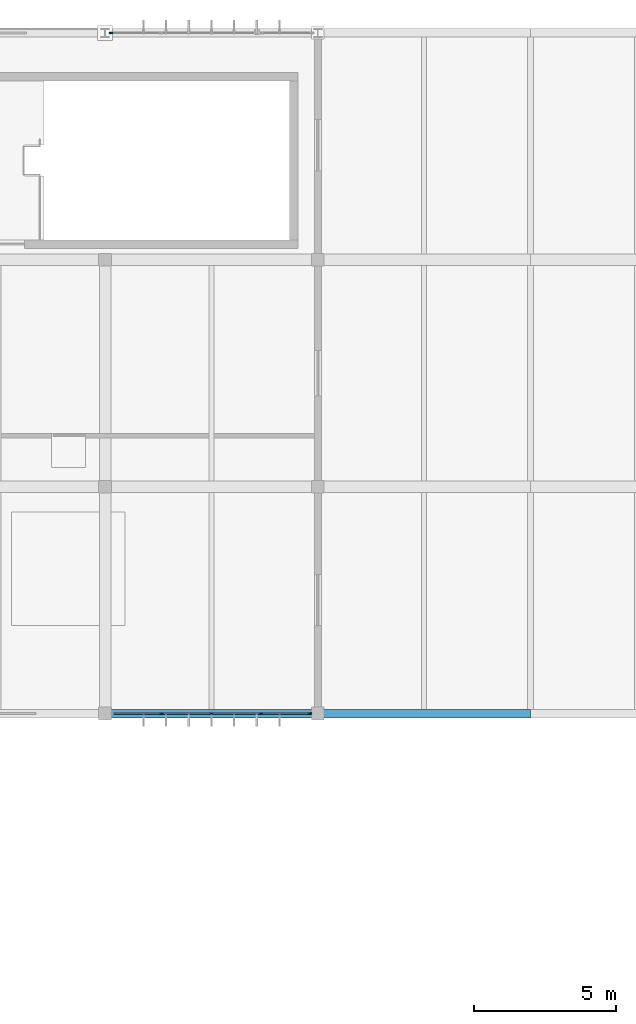
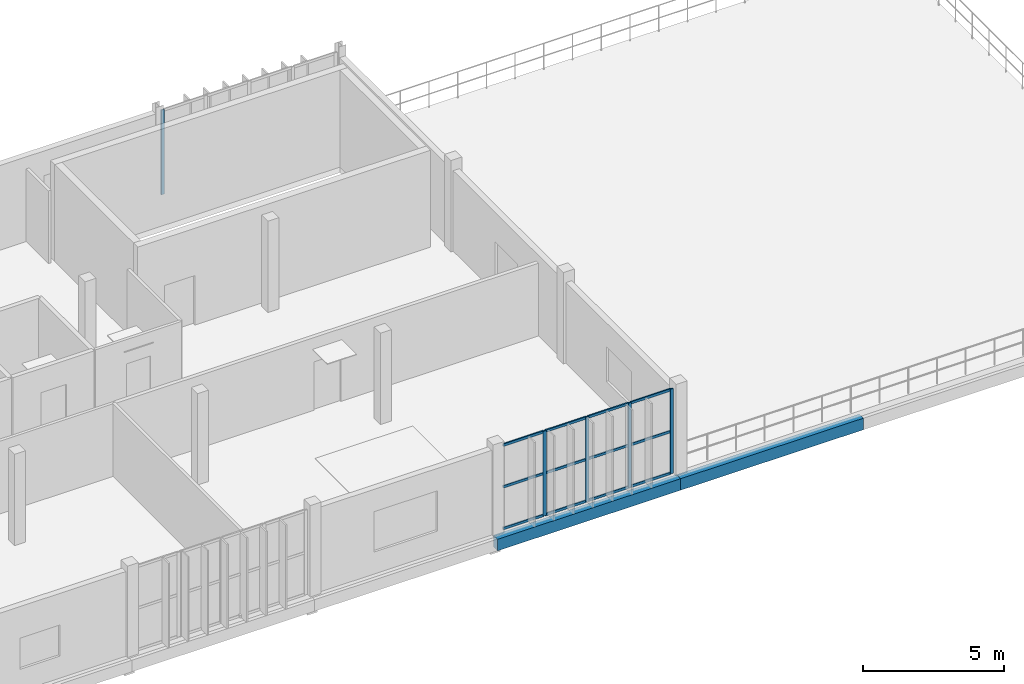
# One storey, part 14 of 26: 17 members, 2 beams, 2 elements without a shape of their own.
"""IFC4 building model written with IfcOpenShell, lengths in metres."""

import ifcopenshell
import ifcopenshell.guid

model = None  # the IFC model being written
_history = None  # IfcOwnerHistory: only IFC2X3 demands one
_inside = {}  # id of a spatial element -> (the spatial element, [elements in it])
_under = {}  # id of a project, library or spatial element -> (it, [spatial elements below it])
_declared = {}  # id of a project -> (the project, [libraries it declares])
_typed = {}  # id of a type object -> (the type object, [elements of that type])
_made_of = {}  # id of a material, layer set ... -> (it, [elements and type objects made of it])


def new_model(schema):
    """Start an empty IFC model of exactly this schema.

    Asked for "IFC4X3", IfcOpenShell would pick the latest addendum, in which some entities
    have other attributes; the version numbers below select the first issue.
    IFC2X3 requires an IfcOwnerHistory on every rooted entity: one is made here for all.
    """
    global model, _history
    if schema == "IFC4X3":
        model = ifcopenshell.file(schema_version=(4, 3, 0, 0))
    else:
        model = ifcopenshell.file(schema=schema)
    _inside.clear()
    _under.clear()
    _declared.clear()
    _typed.clear()
    _made_of.clear()
    _history = None
    if model.schema == "IFC2X3":
        org = make("IfcOrganization", Name="unknown")
        user = make(
            "IfcPersonAndOrganization",
            ThePerson=make("IfcPerson", FamilyName="unknown"),
            TheOrganization=org,
        )
        app = make(
            "IfcApplication",
            ApplicationDeveloper=org,
            Version="unknown",
            ApplicationFullName="unknown",
            ApplicationIdentifier="unknown",
        )
        _history = make(
            "IfcOwnerHistory",
            OwningUser=user,
            OwningApplication=app,
            ChangeAction="ADDED",
            CreationDate=0,
        )
    return model


def make(cls, **values):
    """One entity of the class cls with the attributes given. An attribute that is None is left unset."""
    return model.create_entity(
        cls, **{name: value for name, value in values.items() if value is not None}
    )


def rooted(cls, **values):
    """An entity with a GlobalId (a new one), such as an element, a storey or a relation."""
    return make(cls, GlobalId=ifcopenshell.guid.new(), OwnerHistory=_history, **values)


def si_unit(unit_type, name, prefix=None):
    """IfcSIUnit, for example si_unit("LENGTHUNIT", "METRE", prefix="MILLI")."""
    return make("IfcSIUnit", UnitType=unit_type, Prefix=prefix, Name=name)


def assignment(units):
    """IfcUnitAssignment: the units of a project."""
    return None if units is None else make("IfcUnitAssignment", Units=units)


def point(xyz):
    """IfcCartesianPoint."""
    return None if xyz is None else make("IfcCartesianPoint", Coordinates=xyz)


def direction(xyz):
    """IfcDirection."""
    return None if xyz is None else make("IfcDirection", DirectionRatios=xyz)


def frame(location, z_axis=None, x_axis=None):
    """IfcAxis2Placement3D, a coordinate frame: its origin and axes. An axis left out is left unset."""
    return make(
        "IfcAxis2Placement3D",
        Location=point(location),
        Axis=direction(z_axis),
        RefDirection=direction(x_axis),
    )


def frame_2d(location, x_axis=None):
    """IfcAxis2Placement2D, a coordinate frame in the plane: its origin and x axis."""
    return make(
        "IfcAxis2Placement2D", Location=point(location), RefDirection=direction(x_axis)
    )


def origin():
    """The frame at (0, 0, 0) with its axes left unset."""
    return frame((0.0, 0.0, 0.0))


def origin_2d():
    """The frame at (0, 0) in the plane with its x axis left unset."""
    return frame_2d((0.0, 0.0))


def place(relative_to, where):
    """IfcLocalPlacement: puts the frame where relative to a parent placement (None: the world)."""
    return make(
        "IfcLocalPlacement", PlacementRelTo=relative_to, RelativePlacement=where
    )


def context(
    kind, dimensions, precision=None, world=None, true_north=None, identifier=None
):
    """IfcGeometricRepresentationContext, for example the 3D "Model" context."""
    return make(
        "IfcGeometricRepresentationContext",
        ContextIdentifier=identifier,
        ContextType=kind,
        CoordinateSpaceDimension=dimensions,
        Precision=precision,
        WorldCoordinateSystem=world,
        TrueNorth=true_north,
    )


def subcontext(parent, identifier, kind, view, scale=None):
    """IfcGeometricRepresentationSubContext, for example "Body" below "Model"."""
    return make(
        "IfcGeometricRepresentationSubContext",
        ContextIdentifier=identifier,
        ContextType=kind,
        ParentContext=parent,
        TargetScale=scale,
        TargetView=view,
    )


def project(units=None, contexts=None):
    """IfcProject with its units and contexts."""
    return rooted(
        "IfcProject",
        Name="project",
        RepresentationContexts=contexts,
        UnitsInContext=assignment(units),
    )


def spatial(cls, under=None, at=None, **own):
    """A site, building, storey or space (cls), placed at a placement, below another one or the project."""
    s = rooted(cls, ObjectPlacement=at, **own)
    if under is not None:
        _under.setdefault(under.id(), (under, []))[1].append(s)
    return s


def profile(cls, at=None, kind="AREA", **sizes):
    """A parametric profile (cls). Its sizes go by their IFC names, for example OverallWidth=200.0."""
    return make(cls, ProfileType=kind, Position=at, **sizes)


def rectangle(**sizes):
    """IfcRectangleProfileDef."""
    return profile("IfcRectangleProfileDef", **sizes)


def extrude(swept, where, along, depth):
    """IfcExtrudedAreaSolid: the profile swept, set in the frame where, extruded along a direction by depth."""
    return make(
        "IfcExtrudedAreaSolid",
        SweptArea=swept,
        Position=where,
        ExtrudedDirection=direction(along),
        Depth=depth,
    )


def shape(context_of_items, identifier, shape_type, items):
    """IfcShapeRepresentation: the items that make up one representation, for example the "Body"."""
    return make(
        "IfcShapeRepresentation",
        ContextOfItems=context_of_items,
        RepresentationIdentifier=identifier,
        RepresentationType=shape_type,
        Items=items,
    )


def material(Name=None, Category=None):
    """IfcMaterial."""
    return make("IfcMaterial", Name=Name, Category=Category)


def material_profile(
    of_material, cross_section, Name=None, Category=None, Priority=None
):
    """IfcMaterialProfile: a cross section and its material."""
    return make(
        "IfcMaterialProfile",
        Name=Name,
        Material=of_material,
        Profile=cross_section,
        Priority=Priority,
        Category=Category,
    )


def profile_set(profiles, Name=None, composite=None):
    """IfcMaterialProfileSet."""
    return make(
        "IfcMaterialProfileSet",
        Name=Name,
        MaterialProfiles=profiles,
        CompositeProfile=composite,
    )


def made_of(thing, what):
    """Note that an element or type object is made of a material, layer set ...; save() writes the relation."""
    if what is not None:
        _made_of.setdefault(what.id(), (what, []))[1].append(thing)
    return thing


def type_object(cls, material=None, **own):
    """A type object (cls), such as IfcWallType, which elements share."""
    return made_of(rooted(cls, **own), material)


def element(
    cls,
    number,
    at=None,
    inside=None,
    cuts=None,
    type_object=None,
    material=None,
    context=None,
    identifier="Body",
    shape_type=None,
    held_by="IfcProductDefinitionShape",
    body=None,
    shapes=None,
    **own,
):
    """One element of the class cls, such as IfcWall. Its Tag is "e" and its number.

    at: its placement. inside: the storey or other place that contains it. cuts: it is an
    opening in that element (IfcRelVoidsElement). A single representation is given by context,
    identifier, shape_type and body (its items); several are given by shapes. held_by: the class
    of the entity that holds the representations. save() writes the other relations.
    """
    e = rooted(cls, Tag="e%d" % number, ObjectPlacement=at, **own)
    if body is not None:
        shapes = [shape(context, identifier, shape_type, body)]
    if shapes is not None:
        e.Representation = make(held_by, Representations=shapes)
    if inside is not None:
        _inside.setdefault(inside.id(), (inside, []))[1].append(e)
    if cuts is not None:
        rooted(
            "IfcRelVoidsElement", RelatingBuildingElement=cuts, RelatedOpeningElement=e
        )
    if type_object is not None:
        _typed.setdefault(type_object.id(), (type_object, []))[1].append(e)
    return made_of(e, material)


def aggregate(whole, parts):
    """IfcRelAggregates: a whole, such as a stair, and the parts it consists of."""
    return rooted("IfcRelAggregates", RelatingObject=whole, RelatedObjects=parts)


def save(model, path):
    """Write the relations noted so far, then the file.

    IfcRelAggregates (storeys below a building ...), IfcRelContainedInSpatialStructure (elements
    in a storey), IfcRelDefinesByType, IfcRelAssociatesMaterial and IfcRelDeclares: one each for
    every whole, place, type object, material and project.
    """
    for whole, parts in _under.values():
        aggregate(whole, parts)
    for where, things in _inside.values():
        rooted(
            "IfcRelContainedInSpatialStructure",
            RelatedElements=things,
            RelatingStructure=where,
        )
    for kind, things in _typed.values():
        rooted("IfcRelDefinesByType", RelatedObjects=things, RelatingType=kind)
    for what, things in _made_of.values():
        rooted("IfcRelAssociatesMaterial", RelatedObjects=things, RelatingMaterial=what)
    for by, libraries in _declared.values():
        rooted("IfcRelDeclares", RelatingContext=by, RelatedDefinitions=libraries)
    model.write(path)


model = new_model("IFC4")

# Units and contexts
model_context = context("Model", 3, precision=1e-05, world=origin(), true_north=direction((0.0, 1.0)))
body_context = subcontext(model_context, "Body", "Model", "MODEL_VIEW")
ifc_project = project(units=[si_unit("LENGTHUNIT", "METRE"), si_unit("AREAUNIT", "SQUARE_METRE"), si_unit("VOLUMEUNIT", "CUBIC_METRE"), si_unit("PLANEANGLEUNIT", "RADIAN"), si_unit("MASSUNIT", "GRAM", prefix="KILO")], contexts=[model_context])

# Site, building, storey
site_placement = place(None, origin())
site = spatial("IfcSite", under=ifc_project, at=site_placement, CompositionType="ELEMENT")
building_placement = place(site_placement, origin())
building = spatial("IfcBuilding", under=site, at=building_placement, Name="Vourika Railside Aquatics Centre", CompositionType="ELEMENT")
storey_placement = place(building_placement, frame((0.0, 0.0, 17.699951171875)))
storey = spatial("IfcBuildingStorey", under=building, at=storey_placement, Name="L04", CompositionType="ELEMENT", Elevation=17.699951171875)

# Beams
ifc_material_1 = material(Name="Concrete C35/45", Category="concrete")
ifc_material_profile_1 = material_profile(ifc_material_1, rectangle(XDim=0.300048828125, YDim=0.5, at=origin_2d()), Name="RC 300x500")
ifc_profile_set_1 = profile_set([ifc_material_profile_1], Name="Concrete C35/45")
beam_type = type_object("IfcBeamType", Name="BM-SPAN-300x500", PredefinedType="SPANDREL", material=ifc_profile_set_1)
for number, where, z_axis, x_axis, name in (
    (1, (81.0, 92.0, -0.5), (1.0, 0.0, 0.0), (0.0, 1.0, 0.0), "Floor Beam GX-L04-014"),
    (2, (88.5, 92.0, -0.5), (1.0, 0.0, 0.0), (0.0, 1.0, 0.0), "Floor Beam GX-L04-015"),
):
    element("IfcBeam", number, at=place(storey_placement, frame(where, z_axis=z_axis, x_axis=x_axis)), inside=storey, type_object=beam_type, Name=name, PredefinedType="SPANDREL", context=body_context, shape_type="SweptSolid", body=[
        extrude(rectangle(XDim=0.300048828125, YDim=0.5, at=origin_2d()), origin(), (0.0, 0.0, 1.0), 7.5),
    ])

# Curtain wall, member
ifc_material_2 = material(Name="Anodized thermally broken aluminium", Category="aluminium")
curtain_wall_type = type_object("IfcCurtainWallType", Name="CW-FIT4", PredefinedType="NOTDEFINED", material=ifc_material_2)
curtain_wall_1_placement = place(storey_placement, origin())
curtain_wall_1 = element("IfcCurtainWall", 3, at=curtain_wall_1_placement, inside=storey, type_object=curtain_wall_type, Name="North Boulevard Curtain Wall L04-9", PredefinedType="NOTDEFINED")
ifc_material_3 = material(Name="Anodized aluminium mullion", Category="aluminium")
ifc_material_profile_2 = material_profile(ifc_material_3, rectangle(XDim=0.054931640625, YDim=0.135009765625, at=origin_2d()), Name="ALU-M 55x135")
ifc_profile_set_2 = profile_set([ifc_material_profile_2], Name="Anodized aluminium mullion")
member_type_1 = type_object("IfcMemberType", Name="CWM-FIT4", PredefinedType="MULLION", material=ifc_profile_set_2)
member_1_placement = place(storey_placement, frame((81.20751953125, 116.0, 0.0), z_axis=(0.0, 0.0, 1.0), x_axis=(0.0, -1.0, 0.0)))
member_1 = element("IfcMember", 4, at=member_1_placement, type_object=member_type_1, Name="CW18 mullion 5", PredefinedType="MULLION", context=body_context, shape_type="SweptSolid", body=[
    extrude(rectangle(XDim=0.054931640625, YDim=0.135009765625, at=origin_2d()), origin(), (0.0, 0.0, 1.0), 3.670166015625),
])
aggregate(curtain_wall_1, [member_1])

# Curtain wall, members
curtain_wall_2_placement = place(storey_placement, origin())
curtain_wall_2 = element("IfcCurtainWall", 5, at=curtain_wall_2_placement, inside=storey, type_object=curtain_wall_type, Name="Courtyard Fitness Curtain Wall L04-7", PredefinedType="NOTDEFINED")
member_2_placement = place(storey_placement, frame((83.00244140625, 92.0, 0.0), z_axis=(0.0, 0.0, 1.0), x_axis=(0.0, 1.0, 0.0)))
member_2 = element("IfcMember", 6, at=member_2_placement, type_object=member_type_1, Name="CW18 mullion 2", PredefinedType="MULLION", context=body_context, shape_type="SweptSolid", body=[
    extrude(rectangle(XDim=0.054931640625, YDim=0.135009765625, at=origin_2d()), origin(), (0.0, 0.0, 1.0), 3.670166015625),
])
member_3_placement = place(storey_placement, frame((84.75, 92.0, 0.0), z_axis=(0.0, 0.0, 1.0), x_axis=(0.0, 1.0, 0.0)))
member_3 = element("IfcMember", 7, at=member_3_placement, type_object=member_type_1, Name="CW18 mullion 3", PredefinedType="MULLION", context=body_context, shape_type="SweptSolid", body=[
    extrude(rectangle(XDim=0.054931640625, YDim=0.135009765625, at=origin_2d()), origin(), (0.0, 0.0, 1.0), 3.670166015625),
])
member_4_placement = place(storey_placement, frame((86.49755859375, 92.0, 0.0), z_axis=(0.0, 0.0, 1.0), x_axis=(0.0, 1.0, 0.0)))
member_4 = element("IfcMember", 8, at=member_4_placement, type_object=member_type_1, Name="CW18 mullion 4", PredefinedType="MULLION", context=body_context, shape_type="SweptSolid", body=[
    extrude(rectangle(XDim=0.054931640625, YDim=0.135009765625, at=origin_2d()), origin(), (0.0, 0.0, 1.0), 3.670166015625),
])
member_5_placement = place(storey_placement, frame((88.217529296875, 92.0, 0.0), z_axis=(0.0, 0.0, 1.0), x_axis=(0.0, 1.0, 0.0)))
member_5 = element("IfcMember", 9, at=member_5_placement, type_object=member_type_1, Name="CW18 mullion 5", PredefinedType="MULLION", context=body_context, shape_type="SweptSolid", body=[
    extrude(rectangle(XDim=0.054931640625, YDim=0.135009765625, at=origin_2d()), origin(), (0.0, 0.0, 1.0), 3.670166015625),
])
ifc_material_4 = material(Name="Anodized aluminium transom", Category="aluminium")
ifc_material_profile_3 = material_profile(ifc_material_4, rectangle(XDim=0.054931640625, YDim=0.10595703125, at=origin_2d()), Name="ALU-T 55x106")
ifc_profile_set_3 = profile_set([ifc_material_profile_3], Name="Anodized aluminium transom")
member_type_2 = type_object("IfcMemberType", Name="CWT-FIT4", PredefinedType="USERDEFINED", material=ifc_profile_set_3)
member_6_placement = place(storey_placement, frame((81.31005859375, 92.0, 0.027587890625), z_axis=(1.0, 0.0, 0.0), x_axis=(0.0, 1.0, 0.0)))
member_6 = element("IfcMember", 10, at=member_6_placement, type_object=member_type_2, Name="CW18 transom 1.1", ObjectType="TRANSOM", PredefinedType="USERDEFINED", context=body_context, shape_type="SweptSolid", body=[
    extrude(rectangle(XDim=0.054931640625, YDim=0.10595703125, at=origin_2d()), origin(), (0.0, 0.0, 1.0), 1.6650390625),
])
member_7_placement = place(storey_placement, frame((81.31005859375, 92.0, 1.8349609375), z_axis=(1.0, 0.0, 0.0), x_axis=(0.0, 1.0, 0.0)))
member_7 = element("IfcMember", 11, at=member_7_placement, type_object=member_type_2, Name="CW18 transom 1.2", ObjectType="TRANSOM", PredefinedType="USERDEFINED", context=body_context, shape_type="SweptSolid", body=[
    extrude(rectangle(XDim=0.054931640625, YDim=0.10595703125, at=origin_2d()), origin(), (0.0, 0.0, 1.0), 1.6650390625),
])
member_8_placement = place(storey_placement, frame((81.31005859375, 92.0, 3.642578125), z_axis=(1.0, 0.0, 0.0), x_axis=(0.0, 1.0, 0.0)))
member_8 = element("IfcMember", 12, at=member_8_placement, type_object=member_type_2, Name="CW18 transom 1.3", ObjectType="TRANSOM", PredefinedType="USERDEFINED", context=body_context, shape_type="SweptSolid", body=[
    extrude(rectangle(XDim=0.054931640625, YDim=0.10595703125, at=origin_2d()), origin(), (0.0, 0.0, 1.0), 1.6650390625),
])
member_9_placement = place(storey_placement, frame((83.030029296875, 92.0, 0.027587890625), z_axis=(1.0, 0.0, 0.0), x_axis=(0.0, 1.0, 0.0)))
member_9 = element("IfcMember", 13, at=member_9_placement, type_object=member_type_2, Name="CW18 transom 2.1", ObjectType="TRANSOM", PredefinedType="USERDEFINED", context=body_context, shape_type="SweptSolid", body=[
    extrude(rectangle(XDim=0.054931640625, YDim=0.10595703125, at=origin_2d()), origin(), (0.0, 0.0, 1.0), 1.6923828125),
])
member_10_placement = place(storey_placement, frame((83.030029296875, 92.0, 1.8349609375), z_axis=(1.0, 0.0, 0.0), x_axis=(0.0, 1.0, 0.0)))
member_10 = element("IfcMember", 14, at=member_10_placement, type_object=member_type_2, Name="CW18 transom 2.2", ObjectType="TRANSOM", PredefinedType="USERDEFINED", context=body_context, shape_type="SweptSolid", body=[
    extrude(rectangle(XDim=0.054931640625, YDim=0.10595703125, at=origin_2d()), origin(), (0.0, 0.0, 1.0), 1.6923828125),
])
member_11_placement = place(storey_placement, frame((83.030029296875, 92.0, 3.642578125), z_axis=(1.0, 0.0, 0.0), x_axis=(0.0, 1.0, 0.0)))
member_11 = element("IfcMember", 15, at=member_11_placement, type_object=member_type_2, Name="CW18 transom 2.3", ObjectType="TRANSOM", PredefinedType="USERDEFINED", context=body_context, shape_type="SweptSolid", body=[
    extrude(rectangle(XDim=0.054931640625, YDim=0.10595703125, at=origin_2d()), origin(), (0.0, 0.0, 1.0), 1.6923828125),
])
member_12_placement = place(storey_placement, frame((84.777587890625, 92.0, 0.027587890625), z_axis=(1.0, 0.0, 0.0), x_axis=(0.0, 1.0, 0.0)))
member_12 = element("IfcMember", 16, at=member_12_placement, type_object=member_type_2, Name="CW18 transom 3.1", ObjectType="TRANSOM", PredefinedType="USERDEFINED", context=body_context, shape_type="SweptSolid", body=[
    extrude(rectangle(XDim=0.054931640625, YDim=0.10595703125, at=origin_2d()), origin(), (0.0, 0.0, 1.0), 1.6923828125),
])
member_13_placement = place(storey_placement, frame((84.777587890625, 92.0, 1.8349609375), z_axis=(1.0, 0.0, 0.0), x_axis=(0.0, 1.0, 0.0)))
member_13 = element("IfcMember", 17, at=member_13_placement, type_object=member_type_2, Name="CW18 transom 3.2", ObjectType="TRANSOM", PredefinedType="USERDEFINED", context=body_context, shape_type="SweptSolid", body=[
    extrude(rectangle(XDim=0.054931640625, YDim=0.10595703125, at=origin_2d()), origin(), (0.0, 0.0, 1.0), 1.6923828125),
])
member_14_placement = place(storey_placement, frame((84.777587890625, 92.0, 3.642578125), z_axis=(1.0, 0.0, 0.0), x_axis=(0.0, 1.0, 0.0)))
member_14 = element("IfcMember", 18, at=member_14_placement, type_object=member_type_2, Name="CW18 transom 3.3", ObjectType="TRANSOM", PredefinedType="USERDEFINED", context=body_context, shape_type="SweptSolid", body=[
    extrude(rectangle(XDim=0.054931640625, YDim=0.10595703125, at=origin_2d()), origin(), (0.0, 0.0, 1.0), 1.6923828125),
])
member_15_placement = place(storey_placement, frame((86.52490234375, 92.0, 0.027587890625), z_axis=(1.0, 0.0, 0.0), x_axis=(0.0, 1.0, 0.0)))
member_15 = element("IfcMember", 19, at=member_15_placement, type_object=member_type_2, Name="CW18 transom 4.1", ObjectType="TRANSOM", PredefinedType="USERDEFINED", context=body_context, shape_type="SweptSolid", body=[
    extrude(rectangle(XDim=0.054931640625, YDim=0.10595703125, at=origin_2d()), origin(), (0.0, 0.0, 1.0), 1.6650390625),
])
member_16_placement = place(storey_placement, frame((86.52490234375, 92.0, 1.8349609375), z_axis=(1.0, 0.0, 0.0), x_axis=(0.0, 1.0, 0.0)))
member_16 = element("IfcMember", 20, at=member_16_placement, type_object=member_type_2, Name="CW18 transom 4.2", ObjectType="TRANSOM", PredefinedType="USERDEFINED", context=body_context, shape_type="SweptSolid", body=[
    extrude(rectangle(XDim=0.054931640625, YDim=0.10595703125, at=origin_2d()), origin(), (0.0, 0.0, 1.0), 1.6650390625),
])
member_17_placement = place(storey_placement, frame((86.52490234375, 92.0, 3.642578125), z_axis=(1.0, 0.0, 0.0), x_axis=(0.0, 1.0, 0.0)))
member_17 = element("IfcMember", 21, at=member_17_placement, type_object=member_type_2, Name="CW18 transom 4.3", ObjectType="TRANSOM", PredefinedType="USERDEFINED", context=body_context, shape_type="SweptSolid", body=[
    extrude(rectangle(XDim=0.054931640625, YDim=0.10595703125, at=origin_2d()), origin(), (0.0, 0.0, 1.0), 1.6650390625),
])
aggregate(curtain_wall_2, [member_2, member_3, member_4, member_5, member_6, member_7, member_8, member_9, member_10, member_11, member_12, member_13, member_14, member_15, member_16, member_17])

save(model, "model.ifc")
